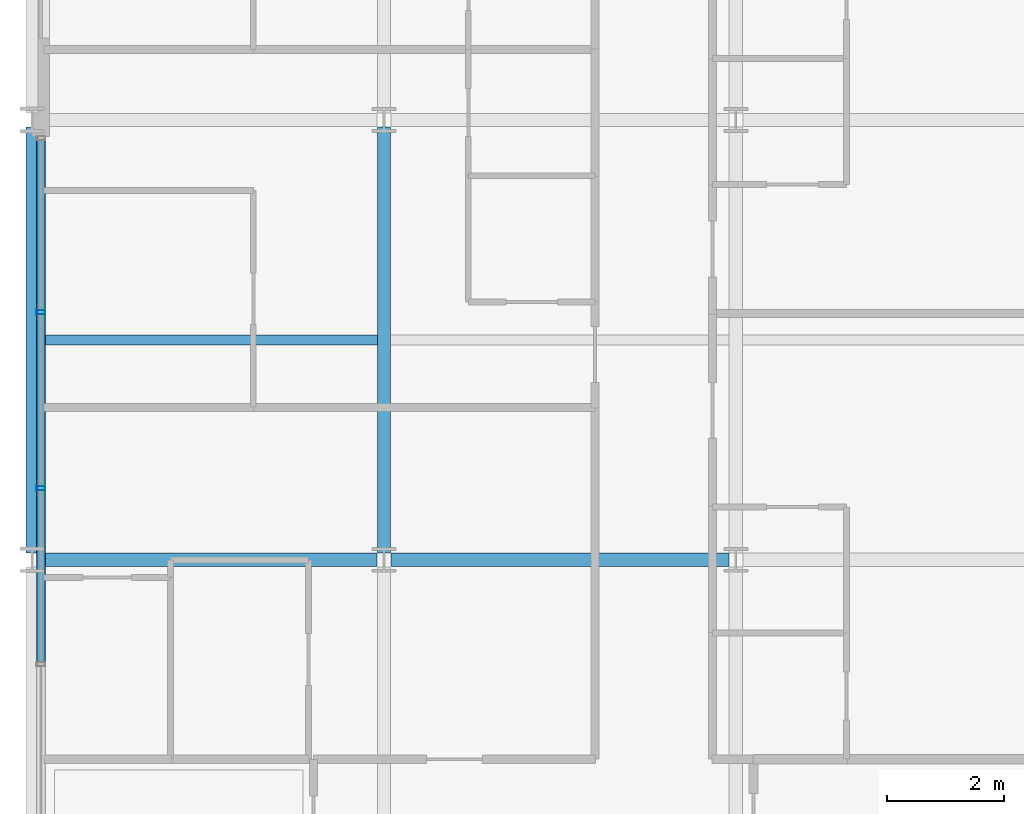
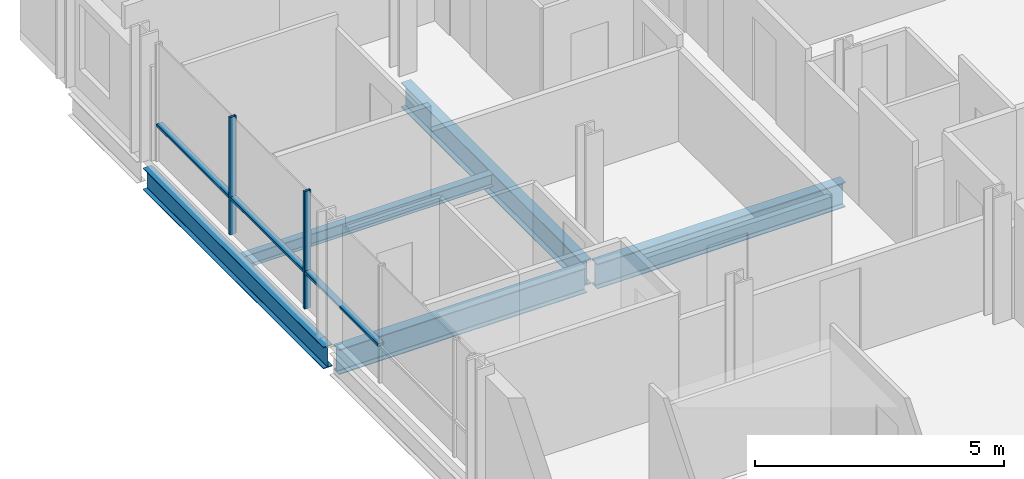
# One storey, part 5 of 41: 5 beams, 5 members, 1 element without a shape of its own.
"""IFC4 building model written with IfcOpenShell, lengths in metres."""

from ifc_helpers import new_model, si_unit, direction, frame, origin, origin_2d, place, context, subcontext, project, spatial, hollow_rectangle, i_section, extrude, material, layer, layer_set, material_profile, profile_set, type_object, element, aggregate, save


model = new_model("IFC4")

# Units and contexts
model_context = context("Model", 3, precision=1e-05, world=origin(), true_north=direction((0.0, 1.0)))
body_context = subcontext(model_context, "Body", "Model", "MODEL_VIEW")
ifc_project = project(units=[si_unit("LENGTHUNIT", "METRE"), si_unit("AREAUNIT", "SQUARE_METRE"), si_unit("VOLUMEUNIT", "CUBIC_METRE"), si_unit("PLANEANGLEUNIT", "RADIAN"), si_unit("MASSUNIT", "GRAM", prefix="KILO")], contexts=[model_context])

# Site, building, storey
site_placement = place(None, origin())
site = spatial("IfcSite", under=ifc_project, at=site_placement, CompositionType="ELEMENT")
building_placement = place(site_placement, origin())
building = spatial("IfcBuilding", under=site, at=building_placement, Name="Brevholm Reach", CompositionType="ELEMENT")
storey_placement = place(building_placement, frame((0.0, 0.0, 100.39990234375)))
storey = spatial("IfcBuildingStorey", under=building, at=storey_placement, Name="L29", CompositionType="ELEMENT", Elevation=100.39990234375)

# Beams
ifc_material_1 = material(Name="Structural Steel S355J2", Category="steel")
ifc_material_profile_1 = material_profile(ifc_material_1, i_section(OverallWidth=0.1650390625, OverallDepth=0.303466796875, WebThickness=0.006103515625, FlangeThickness=0.01025390625, FilletRadius=0.0087890625, at=origin_2d()), Name="UKB 305x165x40")
ifc_profile_set_1 = profile_set([ifc_material_profile_1], Name="Structural Steel S355J2")
beam_type_1 = type_object("IfcBeamType", Name="BM-B305", PredefinedType="BEAM", material=ifc_profile_set_1)
beam_1_placement = place(storey_placement, frame((0.104736328125, 19.75, -0.37158203125), z_axis=(1.0, 0.0, 0.0), x_axis=(0.0, 1.0, 0.0)))
element("IfcBeam", 1, at=beam_1_placement, inside=storey, type_object=beam_type_1, Name="L29 Composite Secondary Floor Beam", PredefinedType="BEAM", context=body_context, shape_type="SweptSolid", body=[
    extrude(i_section(OverallWidth=0.1650390625, OverallDepth=0.303466796875, WebThickness=0.006103515625, FlangeThickness=0.01025390625, FilletRadius=0.0087890625, at=origin_2d()), origin(), (0.0, 0.0, 1.0), 5.78076171875),
])
ifc_material_2 = material(Name="Structural Steel S355J2", Category="steel")
ifc_material_profile_2 = material_profile(ifc_material_2, i_section(OverallWidth=0.209228515625, OverallDepth=0.533203125, WebThickness=0.010009765625, FlangeThickness=0.015625, FilletRadius=0.0126953125, at=origin_2d()), Name="UKB 533x210x92")
ifc_profile_set_2 = profile_set([ifc_material_profile_2], Name="Structural Steel S355J2")
beam_type_2 = type_object("IfcBeamType", Name="BM-SP533", PredefinedType="SPANDREL", material=ifc_profile_set_2)
beam_2_placement = place(storey_placement, frame((0.0, 16.1201171875, -0.486572265625), z_axis=(0.0, 1.0, 0.0), x_axis=(-1.0, 0.0, 0.0)))
element("IfcBeam", 2, at=beam_2_placement, inside=storey, type_object=beam_type_2, Name="L29 SP-02 Framing Beam", PredefinedType="SPANDREL", context=body_context, shape_type="SweptSolid", body=[
    extrude(i_section(OverallWidth=0.209228515625, OverallDepth=0.533203125, WebThickness=0.010009765625, FlangeThickness=0.015625, FilletRadius=0.0126953125, at=origin_2d()), origin(), (0.0, 0.0, 1.0), 7.259765625),
])
ifc_material_3 = material(Name="Structural Steel S355J2", Category="steel")
ifc_material_profile_3 = material_profile(ifc_material_3, i_section(OverallWidth=0.22900390625, OverallDepth=0.6123046875, WebThickness=0.011962890625, FlangeThickness=0.01953125, FilletRadius=0.0126953125, at=origin_2d()), Name="UKB 610x229x125")
ifc_profile_set_3 = profile_set([ifc_material_profile_3], Name="Structural Steel S355J2")
beam_type_3 = type_object("IfcBeamType", Name="BM-SP610", PredefinedType="SPANDREL", material=ifc_profile_set_3)
for number, where, z_axis, x_axis, name in (
    (3, (0.1201171875, 16.0, -0.526123046875), (1.0, 0.0, 0.0), (0.0, 1.0, 0.0), "L29 SP-01 Framing Beam"),
    (4, (6.1201171875, 16.0, -0.526123046875), (1.0, 0.0, 0.0), (0.0, 1.0, 0.0), "L29 SP-01 Framing Beam"),
):
    element("IfcBeam", number, at=place(storey_placement, frame(where, z_axis=z_axis, x_axis=x_axis)), inside=storey, type_object=beam_type_3, Name=name, PredefinedType="SPANDREL", context=body_context, shape_type="SweptSolid", body=[
        extrude(i_section(OverallWidth=0.22900390625, OverallDepth=0.6123046875, WebThickness=0.011962890625, FlangeThickness=0.01953125, FilletRadius=0.0126953125, at=origin_2d()), origin(), (0.0, 0.0, 1.0), 5.759765625),
    ])
beam_3_placement = place(storey_placement, frame((6.0, 16.1201171875, -0.526123046875), z_axis=(0.0, 1.0, 0.0), x_axis=(-1.0, 0.0, 0.0)))
element("IfcBeam", 5, at=beam_3_placement, inside=storey, type_object=beam_type_3, Name="L29 SP-01 Framing Beam", PredefinedType="SPANDREL", context=body_context, shape_type="SweptSolid", body=[
    extrude(i_section(OverallWidth=0.22900390625, OverallDepth=0.6123046875, WebThickness=0.011962890625, FlangeThickness=0.01953125, FilletRadius=0.0126953125, at=origin_2d()), origin(), (0.0, 0.0, 1.0), 7.259765625),
])

# Curtain wall, members
ifc_material_4 = material(Name="Dark Anodised Aluminium 6063-T6 and Solar-Control Glass", Category="aluminium")
ifc_layer = layer(ifc_material_4, 0.14990234375)
ifc_layer_set = layer_set([ifc_layer], Name="Dark Anodised Aluminium 6063-T6 and Solar-Control Glass")
curtain_wall_type = type_object("IfcCurtainWallType", Name="CW-01", PredefinedType="NOTDEFINED", material=ifc_layer_set)
curtain_wall_placement = place(storey_placement, origin())
curtain_wall = element("IfcCurtainWall", 6, at=curtain_wall_placement, inside=storey, type_object=curtain_wall_type, Name="L29 Curtain Wall CW-01", PredefinedType="NOTDEFINED")
ifc_material_5 = material(Name="Dark Anodised Aluminium 6063-T6", Category="aluminium")
ifc_material_profile_4 = material_profile(ifc_material_5, hollow_rectangle(XDim=0.06494140625, YDim=0.14990234375, WallThickness=0.0048828125, InnerFilletRadius=0.0048828125, OuterFilletRadius=0.010009765625, at=origin_2d()), Name="RHS 150x65x5")
ifc_profile_set_4 = profile_set([ifc_material_profile_4], Name="Dark Anodised Aluminium 6063-T6")
member_type_1 = type_object("IfcMemberType", Name="CWM-150", PredefinedType="MULLION", material=ifc_profile_set_4)
member_1_placement = place(storey_placement, frame((0.14990234375, 20.219970703125, 0.0), z_axis=(0.0, 0.0, 1.0), x_axis=(0.0, -1.0, 0.0)))
member_1 = element("IfcMember", 7, at=member_1_placement, type_object=member_type_1, Name="CM-150 Mullion 2", PredefinedType="MULLION", context=body_context, shape_type="SweptSolid", body=[
    extrude(hollow_rectangle(XDim=0.06494140625, YDim=0.14990234375, WallThickness=0.0048828125, InnerFilletRadius=0.0048828125, OuterFilletRadius=0.010009765625, at=origin_2d()), origin(), (0.0, 0.0, 1.0), 2.880126953125),
])
member_2_placement = place(storey_placement, frame((0.14990234375, 17.219970703125, 0.0), z_axis=(0.0, 0.0, 1.0), x_axis=(0.0, -1.0, 0.0)))
member_2 = element("IfcMember", 8, at=member_2_placement, type_object=member_type_1, Name="CM-150 Mullion 3", PredefinedType="MULLION", context=body_context, shape_type="SweptSolid", body=[
    extrude(hollow_rectangle(XDim=0.06494140625, YDim=0.14990234375, WallThickness=0.0048828125, InnerFilletRadius=0.0048828125, OuterFilletRadius=0.010009765625, at=origin_2d()), origin(), (0.0, 0.0, 1.0), 2.880126953125),
])
ifc_material_6 = material(Name="Dark Anodised Aluminium 6063-T6", Category="aluminium")
ifc_material_profile_5 = material_profile(ifc_material_6, hollow_rectangle(XDim=0.06494140625, YDim=0.14990234375, WallThickness=0.0048828125, InnerFilletRadius=0.0048828125, OuterFilletRadius=0.010009765625, at=origin_2d()), Name="RHS 150x65x5")
ifc_profile_set_5 = profile_set([ifc_material_profile_5], Name="Dark Anodised Aluminium 6063-T6")
member_type_2 = type_object("IfcMemberType", Name="CWT-150", PredefinedType="NOTDEFINED", material=ifc_profile_set_5)
member_3_placement = place(storey_placement, frame((0.14990234375, 23.155029296875, 0.900146484375), z_axis=(0.0, -1.0, 0.0), x_axis=(0.0, 0.0, 1.0)))
member_3 = element("IfcMember", 9, at=member_3_placement, type_object=member_type_2, Name="CT-150 Transom 1.1", ObjectType="TRANSOM", PredefinedType="USERDEFINED", context=body_context, shape_type="SweptSolid", body=[
    extrude(hollow_rectangle(XDim=0.06494140625, YDim=0.14990234375, WallThickness=0.0048828125, InnerFilletRadius=0.0048828125, OuterFilletRadius=0.010009765625, at=origin_2d()), origin(), (0.0, 0.0, 1.0), 2.902587890625),
])
member_4_placement = place(storey_placement, frame((0.14990234375, 20.1875, 0.900146484375), z_axis=(0.0, -1.0, 0.0), x_axis=(0.0, 0.0, 1.0)))
member_4 = element("IfcMember", 10, at=member_4_placement, type_object=member_type_2, Name="CT-150 Transom 2.1", ObjectType="TRANSOM", PredefinedType="USERDEFINED", context=body_context, shape_type="SweptSolid", body=[
    extrude(hollow_rectangle(XDim=0.06494140625, YDim=0.14990234375, WallThickness=0.0048828125, InnerFilletRadius=0.0048828125, OuterFilletRadius=0.010009765625, at=origin_2d()), origin(), (0.0, 0.0, 1.0), 2.93505859375),
])
member_5_placement = place(storey_placement, frame((0.14990234375, 17.1875, 0.900146484375), z_axis=(0.0, -1.0, 0.0), x_axis=(0.0, 0.0, 1.0)))
member_5 = element("IfcMember", 11, at=member_5_placement, type_object=member_type_2, Name="CT-150 Transom 3.1", ObjectType="TRANSOM", PredefinedType="USERDEFINED", context=body_context, shape_type="SweptSolid", body=[
    extrude(hollow_rectangle(XDim=0.06494140625, YDim=0.14990234375, WallThickness=0.0048828125, InnerFilletRadius=0.0048828125, OuterFilletRadius=0.010009765625, at=origin_2d()), origin(), (0.0, 0.0, 1.0), 2.93505859375),
])
aggregate(curtain_wall, [member_1, member_2, member_3, member_4, member_5])

save(model, "model.ifc")
